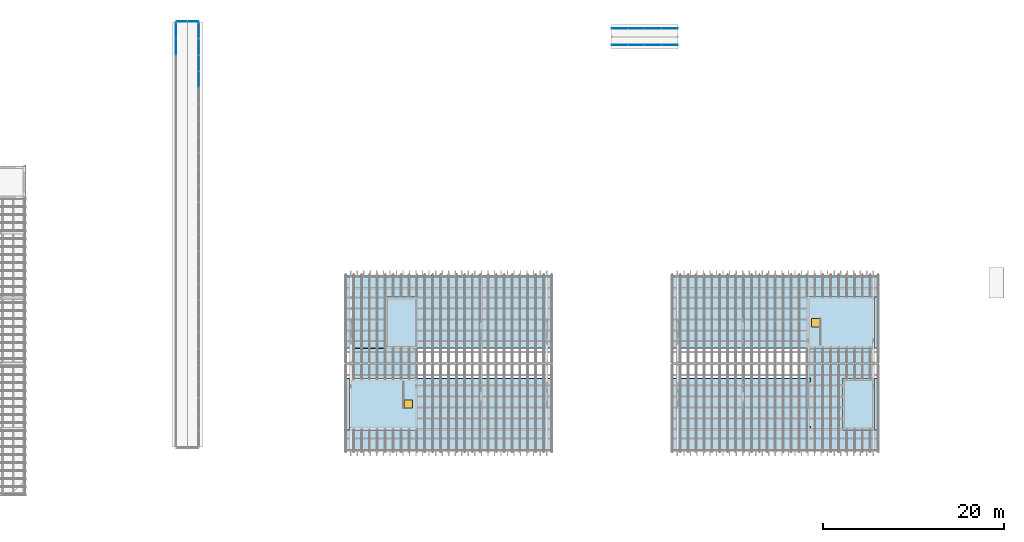
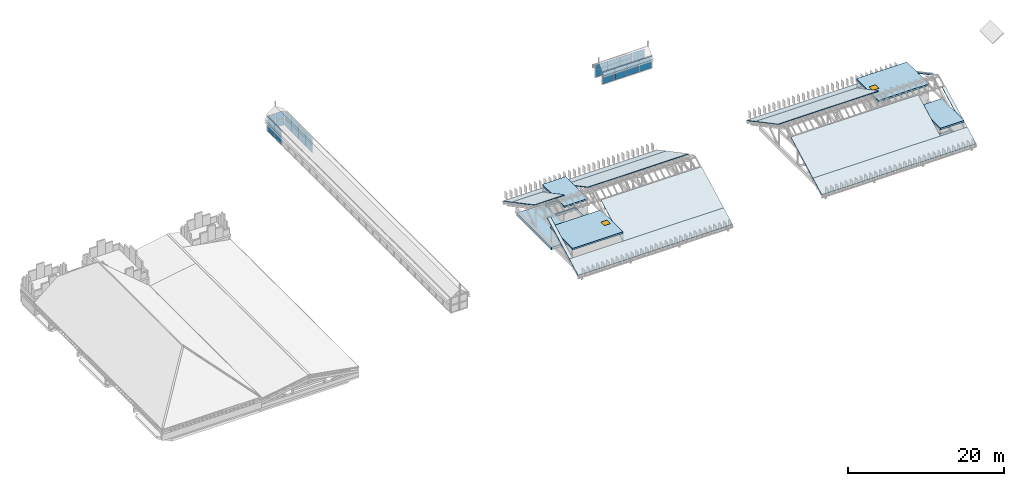
# One storey, part 15 of 28: 32 plates, 18 slabs, 2 doors, 2 openings, 5 elements without a shape of their own.
"""IFC4 building model written with IfcOpenShell, lengths in metres."""

from ifc_helpers import new_model, si_unit, direction, frame, origin, origin_2d, place, context, subcontext, project, spatial, polyline, rectangle, outline, extrude, material, layer, layer_set, type_object, element, fill, aggregate, save


model = new_model("IFC4")

# Units and contexts
model_context = context("Model", 3, precision=1e-05, world=origin(), true_north=direction((0.0, 1.0)))
body_context = subcontext(model_context, "Body", "Model", "MODEL_VIEW")
ifc_project = project(units=[si_unit("LENGTHUNIT", "METRE"), si_unit("AREAUNIT", "SQUARE_METRE"), si_unit("VOLUMEUNIT", "CUBIC_METRE"), si_unit("PLANEANGLEUNIT", "RADIAN"), si_unit("MASSUNIT", "GRAM", prefix="KILO")], contexts=[model_context])

# Site, building, storey
site_placement = place(None, origin())
site = spatial("IfcSite", under=ifc_project, at=site_placement, CompositionType="ELEMENT")
building_placement = place(site_placement, origin())
building = spatial("IfcBuilding", under=site, at=building_placement, Name="Mazhai Court Health Centre", CompositionType="ELEMENT")
storey_placement = place(building_placement, frame((0.0, 0.0, 18.0)))
storey = spatial("IfcBuildingStorey", under=building, at=storey_placement, Name="RF", CompositionType="ELEMENT", Elevation=18.0)

# Slabs
ifc_material_1 = material(Name="CLT C24 3-ply", Category="wood")
ifc_layer_1 = layer(ifc_material_1, 0.10009765625)
ifc_layer_set_1 = layer_set([ifc_layer_1], Name="CLT C24 3-ply roof panel 100")
slab_type_1 = type_object("IfcSlabType", Name="CLT C24 3-ply roof panel 100", PredefinedType="ROOF", material=ifc_layer_set_1)
slab_1_placement = place(storey_placement, frame((93.199951171875, 11.0, 0.32177734375), z_axis=(0.0, -0.469510825727, 0.882926715263), x_axis=(-1.0, 0.0, 0.0)))
element("IfcSlab", 1, at=slab_1_placement, inside=storey, type_object=slab_type_1, Name="Roof slab RV4W-RS1", PredefinedType="ROOF", context=body_context, shape_type="SweptSolid", body=[
    extrude(outline(polyline([(0.0, 0.0), (22.800048828125, 0.0), (22.800048828125, -2.576547186107941), (0.0, -2.576547186107941), (0.0, 0.0)])), origin(), (0.0, 0.0, -1.0), 0.10009765625),
])
slab_2_placement = place(storey_placement, frame((70.39990234375, 18.925048828125, 4.535400390625), z_axis=(0.0, -0.469431367289, 0.88296896401), x_axis=(1.0, 0.0, 0.0)))
element("IfcSlab", 2, at=slab_2_placement, inside=storey, type_object=slab_type_1, Name="Roof slab RV4W-RS1", PredefinedType="ROOF", context=body_context, shape_type="SweptSolid", body=[
    extrude(outline(polyline([(0.0, 0.0), (0.47509765625, 0.0), (0.47509765625, -6.399031805959729), (0.0, -6.399031805959729), (0.0, 0.0)])), origin(), (0.0, 0.0, -1.0), 0.10009765625),
])
slab_3_placement = place(storey_placement, frame((93.199951171875, 13.27490234375, 1.531494140625), z_axis=(0.0, -0.469431367289, 0.88296896401), x_axis=(-1.0, 0.0, 0.0)))
element("IfcSlab", 3, at=slab_3_placement, inside=storey, type_object=slab_type_1, Name="Roof slab RV4W-RS1", PredefinedType="ROOF", context=body_context, shape_type="SweptSolid", body=[
    extrude(outline(polyline([(0.0, 0.0), (14.875, 0.0), (14.875, -6.39903180595973), (0.0, -6.39903180595973), (0.0, 0.0)])), origin(), (0.0, 0.0, -1.0), 0.10009765625),
])
slab_4_placement = place(storey_placement, frame((70.39990234375, 30.199951171875, 0.32177734375), z_axis=(0.0, 0.469510825727, 0.882926715263), x_axis=(1.0, 0.0, 0.0)))
element("IfcSlab", 4, at=slab_4_placement, inside=storey, type_object=slab_type_1, Name="Roof slab RV4W-RS2", PredefinedType="ROOF", context=body_context, shape_type="SweptSolid", body=[
    extrude(outline(polyline([(0.0, 0.0), (22.800048828125, 0.0), (22.800048828125, -2.576547186107941), (0.0, -2.576547186107941), (0.0, 0.0)])), origin(), (0.0, 0.0, -1.0), 0.10009765625),
])
slab_5_placement = place(storey_placement, frame((70.39990234375, 27.925048828125, 1.531494140625), z_axis=(0.0, 0.469431367289, 0.88296896401), x_axis=(1.0, 0.0, 0.0)))
element("IfcSlab", 5, at=slab_5_placement, inside=storey, type_object=slab_type_1, Name="Roof slab RV4W-RS2", PredefinedType="ROOF", context=body_context, shape_type="SweptSolid", body=[
    extrude(outline(polyline([(0.0, 0.0), (4.4501953125, 0.0), (4.4501953125, -6.399031805959729), (0.0, -6.399031805959729), (0.0, 0.0)])), origin(), (0.0, 0.0, -1.0), 0.10009765625),
])
slab_6_placement = place(storey_placement, frame((93.199951171875, 22.27490234375, 4.535400390625), z_axis=(0.0, 0.469431367289, 0.88296896401), x_axis=(-1.0, 0.0, 0.0)))
element("IfcSlab", 6, at=slab_6_placement, inside=storey, type_object=slab_type_1, Name="Roof slab RV4W-RS2", PredefinedType="ROOF", context=body_context, shape_type="SweptSolid", body=[
    extrude(outline(polyline([(0.0, 0.0), (14.875, 0.0), (14.875, -6.39903180595973), (0.0, -6.39903180595973), (0.0, 0.0)])), origin(), (0.0, 0.0, -1.0), 0.10009765625),
])
slab_7_placement = place(storey_placement, frame((106.39990234375, 30.199951171875, 0.32177734375), z_axis=(0.0, 0.469510825727, 0.882926715263), x_axis=(1.0, 0.0, 0.0)))
element("IfcSlab", 7, at=slab_7_placement, inside=storey, type_object=slab_type_1, Name="Roof slab RV4E-RS2", PredefinedType="ROOF", context=body_context, shape_type="SweptSolid", body=[
    extrude(outline(polyline([(0.0, 0.0), (22.800048828125, 0.0), (22.800048828125, -2.576547186107941), (0.0, -2.576547186107941), (0.0, 0.0)])), origin(), (0.0, 0.0, -1.0), 0.10009765625),
])
slab_8_placement = place(storey_placement, frame((106.39990234375, 27.925048828125, 1.531494140625), z_axis=(0.0, 0.469431367289, 0.88296896401), x_axis=(1.0, 0.0, 0.0)))
element("IfcSlab", 8, at=slab_8_placement, inside=storey, type_object=slab_type_1, Name="Roof slab RV4E-RS2", PredefinedType="ROOF", context=body_context, shape_type="SweptSolid", body=[
    extrude(outline(polyline([(0.0, 0.0), (14.875, 0.0), (14.875, -6.39903180595973), (0.0, -6.39903180595973), (0.0, 0.0)])), origin(), (0.0, 0.0, -1.0), 0.10009765625),
])
slab_9_placement = place(storey_placement, frame((129.199951171875, 22.27490234375, 4.535400390625), z_axis=(0.0, 0.469431367289, 0.88296896401), x_axis=(-1.0, 0.0, 0.0)))
element("IfcSlab", 9, at=slab_9_placement, inside=storey, type_object=slab_type_1, Name="Roof slab RV4E-RS2", PredefinedType="ROOF", context=body_context, shape_type="SweptSolid", body=[
    extrude(outline(polyline([(0.0, 0.0), (0.474853515625, 0.0), (0.474853515625, -6.399031805959729), (0.0, -6.399031805959729), (0.0, 0.0)])), origin(), (0.0, 0.0, -1.0), 0.10009765625),
])
slab_10_placement = place(storey_placement, frame((129.199951171875, 11.0, 0.32177734375), z_axis=(0.0, -0.469510825727, 0.882926715263), x_axis=(-1.0, 0.0, 0.0)))
element("IfcSlab", 10, at=slab_10_placement, inside=storey, type_object=slab_type_1, Name="Roof slab RV4E-RS1", PredefinedType="ROOF", context=body_context, shape_type="SweptSolid", body=[
    extrude(outline(polyline([(0.0, 0.0), (22.800048828125, 0.0), (22.800048828125, -2.576547186107941), (0.0, -2.576547186107941), (0.0, 0.0)])), origin(), (0.0, 0.0, -1.0), 0.10009765625),
])
slab_11_placement = place(storey_placement, frame((106.39990234375, 18.925048828125, 4.535400390625), z_axis=(0.0, -0.469431367289, 0.88296896401), x_axis=(1.0, 0.0, 0.0)))
element("IfcSlab", 11, at=slab_11_placement, inside=storey, type_object=slab_type_1, Name="Roof slab RV4E-RS1", PredefinedType="ROOF", context=body_context, shape_type="SweptSolid", body=[
    extrude(outline(polyline([(0.0, 0.0), (18.81005859375, 0.0), (18.81005859375, -6.399031805959729), (0.0, -6.399031805959729), (0.0, 0.0)])), origin(), (0.0, 0.0, -1.0), 0.10009765625),
])
slab_12_placement = place(storey_placement, frame((129.199951171875, 13.27490234375, 1.531494140625), z_axis=(0.0, -0.469431367289, 0.88296896401), x_axis=(-1.0, 0.0, 0.0)))
element("IfcSlab", 12, at=slab_12_placement, inside=storey, type_object=slab_type_1, Name="Roof slab RV4E-RS1", PredefinedType="ROOF", context=body_context, shape_type="SweptSolid", body=[
    extrude(outline(polyline([(0.0, 0.0), (0.474853515625, 0.0), (0.474853515625, -6.399031805959729), (0.0, -6.399031805959729), (0.0, 0.0)])), origin(), (0.0, 0.0, -1.0), 0.10009765625),
])

# Curtain wall, plates
ifc_material_2 = material(Name="Teak timber frame, glazed", Category="wood")
ifc_layer_2 = layer(ifc_material_2, 0.10009765625)
ifc_layer_set_2 = layer_set([ifc_layer_2], Name="CURTAIN WALL TIMBER 1800")
curtain_wall_type_1 = type_object("IfcCurtainWallType", Name="CURTAIN WALL TIMBER 1800", PredefinedType="NOTDEFINED", material=ifc_layer_set_2)
curtain_wall_1_placement = place(storey_placement, origin())
curtain_wall_1 = element("IfcCurtainWall", 13, at=curtain_wall_1_placement, inside=storey, type_object=curtain_wall_type_1, Name="CW-V1-LSW", PredefinedType="NOTDEFINED")
ifc_material_3 = material(Name="Glass IGU 28 mm", Category="glass")
ifc_layer_3 = layer(ifc_material_3, 0.028076171875)
ifc_layer_set_3 = layer_set([ifc_layer_3], Name="CW PANEL IGU 28")
plate_type = type_object("IfcPlateType", Name="CW PANEL IGU 28", PredefinedType="CURTAIN_PANEL", material=ifc_layer_set_3)
plate_1_placement = place(storey_placement, frame((51.75, 55.5, 0.84375), z_axis=(0.0, 0.0, 1.0), x_axis=(0.0, 1.0, 0.0)))
plate_1 = element("IfcPlate", 14, at=plate_1_placement, type_object=plate_type, Name="CW panel 25.1", PredefinedType="CURTAIN_PANEL", context=body_context, shape_type="SweptSolid", body=[
    extrude(rectangle(XDim=1.739990234375, YDim=0.028076171875, at=origin_2d()), origin(), (0.0, 0.0, 1.0), 1.110107421875),
])
plate_2_placement = place(storey_placement, frame((51.75, 55.5, 2.013916015625), z_axis=(0.0, 0.0, 1.0), x_axis=(0.0, 1.0, 0.0)))
plate_2 = element("IfcPlate", 15, at=plate_2_placement, type_object=plate_type, Name="CW panel 25.2", PredefinedType="CURTAIN_PANEL", context=body_context, shape_type="SweptSolid", body=[
    extrude(rectangle(XDim=1.739990234375, YDim=0.028076171875, at=origin_2d()), origin(), (0.0, 0.0, 1.0), 1.10498046875),
])
plate_3_placement = place(storey_placement, frame((51.75, 57.284912109375, 0.84375), z_axis=(0.0, 0.0, 1.0), x_axis=(0.0, 1.0, 0.0)))
plate_3 = element("IfcPlate", 16, at=plate_3_placement, type_object=plate_type, Name="CW panel 26.1", PredefinedType="CURTAIN_PANEL", context=body_context, shape_type="SweptSolid", body=[
    extrude(rectangle(XDim=1.7099609375, YDim=0.028076171875, at=origin_2d()), origin(), (0.0, 0.0, 1.0), 1.110107421875),
])
plate_4_placement = place(storey_placement, frame((51.75, 57.284912109375, 2.013916015625), z_axis=(0.0, 0.0, 1.0), x_axis=(0.0, 1.0, 0.0)))
plate_4 = element("IfcPlate", 17, at=plate_4_placement, type_object=plate_type, Name="CW panel 26.2", PredefinedType="CURTAIN_PANEL", context=body_context, shape_type="SweptSolid", body=[
    extrude(rectangle(XDim=1.7099609375, YDim=0.028076171875, at=origin_2d()), origin(), (0.0, 0.0, 1.0), 1.10498046875),
])
aggregate(curtain_wall_1, [plate_1, plate_2, plate_3, plate_4])

curtain_wall_2_placement = place(storey_placement, origin())
curtain_wall_2 = element("IfcCurtainWall", 18, at=curtain_wall_2_placement, inside=storey, type_object=curtain_wall_type_1, Name="CW-V1-LSE", PredefinedType="NOTDEFINED")
plate_5_placement = place(storey_placement, frame((54.25, 57.284912109375, 0.84375), z_axis=(0.0, 0.0, 1.0), x_axis=(0.0, -1.0, 0.0)))
plate_5 = element("IfcPlate", 19, at=plate_5_placement, type_object=plate_type, Name="CW panel 1.1", PredefinedType="CURTAIN_PANEL", context=body_context, shape_type="SweptSolid", body=[
    extrude(rectangle(XDim=1.7099609375, YDim=0.028076171875, at=origin_2d()), origin(), (0.0, 0.0, 1.0), 1.110107421875),
])
plate_6_placement = place(storey_placement, frame((54.25, 57.284912109375, 2.013916015625), z_axis=(0.0, 0.0, 1.0), x_axis=(0.0, -1.0, 0.0)))
plate_6 = element("IfcPlate", 20, at=plate_6_placement, type_object=plate_type, Name="CW panel 1.2", PredefinedType="CURTAIN_PANEL", context=body_context, shape_type="SweptSolid", body=[
    extrude(rectangle(XDim=1.7099609375, YDim=0.028076171875, at=origin_2d()), origin(), (0.0, 0.0, 1.0), 1.10498046875),
])
plate_7_placement = place(storey_placement, frame((54.25, 55.5, 0.84375), z_axis=(0.0, 0.0, 1.0), x_axis=(0.0, -1.0, 0.0)))
plate_7 = element("IfcPlate", 21, at=plate_7_placement, type_object=plate_type, Name="CW panel 2.1", PredefinedType="CURTAIN_PANEL", context=body_context, shape_type="SweptSolid", body=[
    extrude(rectangle(XDim=1.739990234375, YDim=0.028076171875, at=origin_2d()), origin(), (0.0, 0.0, 1.0), 1.110107421875),
])
plate_8_placement = place(storey_placement, frame((54.25, 55.5, 2.013916015625), z_axis=(0.0, 0.0, 1.0), x_axis=(0.0, -1.0, 0.0)))
plate_8 = element("IfcPlate", 22, at=plate_8_placement, type_object=plate_type, Name="CW panel 2.2", PredefinedType="CURTAIN_PANEL", context=body_context, shape_type="SweptSolid", body=[
    extrude(rectangle(XDim=1.739990234375, YDim=0.028076171875, at=origin_2d()), origin(), (0.0, 0.0, 1.0), 1.10498046875),
])
plate_9_placement = place(storey_placement, frame((54.25, 53.699951171875, 0.84375), z_axis=(0.0, 0.0, 1.0), x_axis=(0.0, -1.0, 0.0)))
plate_9 = element("IfcPlate", 23, at=plate_9_placement, type_object=plate_type, Name="CW panel 3.1", PredefinedType="CURTAIN_PANEL", context=body_context, shape_type="SweptSolid", body=[
    extrude(rectangle(XDim=1.739990234375, YDim=0.028076171875, at=origin_2d()), origin(), (0.0, 0.0, 1.0), 1.110107421875),
])
plate_10_placement = place(storey_placement, frame((54.25, 53.699951171875, 2.013916015625), z_axis=(0.0, 0.0, 1.0), x_axis=(0.0, -1.0, 0.0)))
plate_10 = element("IfcPlate", 24, at=plate_10_placement, type_object=plate_type, Name="CW panel 3.2", PredefinedType="CURTAIN_PANEL", context=body_context, shape_type="SweptSolid", body=[
    extrude(rectangle(XDim=1.739990234375, YDim=0.028076171875, at=origin_2d()), origin(), (0.0, 0.0, 1.0), 1.10498046875),
])
plate_11_placement = place(storey_placement, frame((54.25, 51.89990234375, 0.84375), z_axis=(0.0, 0.0, 1.0), x_axis=(0.0, -1.0, 0.0)))
plate_11 = element("IfcPlate", 25, at=plate_11_placement, type_object=plate_type, Name="CW panel 4.1", PredefinedType="CURTAIN_PANEL", context=body_context, shape_type="SweptSolid", body=[
    extrude(rectangle(XDim=1.739990234375, YDim=0.028076171875, at=origin_2d()), origin(), (0.0, 0.0, 1.0), 1.110107421875),
])
plate_12_placement = place(storey_placement, frame((54.25, 51.89990234375, 2.013916015625), z_axis=(0.0, 0.0, 1.0), x_axis=(0.0, -1.0, 0.0)))
plate_12 = element("IfcPlate", 26, at=plate_12_placement, type_object=plate_type, Name="CW panel 4.2", PredefinedType="CURTAIN_PANEL", context=body_context, shape_type="SweptSolid", body=[
    extrude(rectangle(XDim=1.739990234375, YDim=0.028076171875, at=origin_2d()), origin(), (0.0, 0.0, 1.0), 1.10498046875),
])
aggregate(curtain_wall_2, [plate_5, plate_6, plate_7, plate_8, plate_9, plate_10, plate_11, plate_12])

ifc_material_4 = material(Name="Teak timber frame, glazed", Category="wood")
ifc_layer_4 = layer(ifc_material_4, 0.10009765625)
ifc_layer_set_4 = layer_set([ifc_layer_4], Name="CURTAIN WALL TIMBER 1200")
curtain_wall_type_2 = type_object("IfcCurtainWallType", Name="CURTAIN WALL TIMBER 1200", PredefinedType="NOTDEFINED", material=ifc_layer_set_4)
curtain_wall_3_placement = place(storey_placement, origin())
curtain_wall_3 = element("IfcCurtainWall", 27, at=curtain_wall_3_placement, inside=storey, type_object=curtain_wall_type_2, Name="CW-V1-LCN", PredefinedType="NOTDEFINED")
plate_13_placement = place(storey_placement, frame((52.389892578125, 58.27490234375, 0.84375), z_axis=(0.0, 0.0, 1.0), x_axis=(1.0, 0.0, 0.0)))
plate_13 = element("IfcPlate", 28, at=plate_13_placement, type_object=plate_type, Name="CW panel 1.1", PredefinedType="CURTAIN_PANEL", context=body_context, shape_type="SweptSolid", body=[
    extrude(rectangle(XDim=1.159912109375, YDim=0.028076171875, at=origin_2d()), origin(), (0.0, 0.0, 1.0), 1.110107421875),
])
plate_14_placement = place(storey_placement, frame((52.389892578125, 58.27490234375, 2.013916015625), z_axis=(0.0, 0.0, 1.0), x_axis=(1.0, 0.0, 0.0)))
plate_14 = element("IfcPlate", 29, at=plate_14_placement, type_object=plate_type, Name="CW panel 1.2", PredefinedType="CURTAIN_PANEL", context=body_context, shape_type="SweptSolid", body=[
    extrude(rectangle(XDim=1.159912109375, YDim=0.028076171875, at=origin_2d()), origin(), (0.0, 0.0, 1.0), 1.10498046875),
])
plate_15_placement = place(storey_placement, frame((53.610107421875, 58.27490234375, 0.84375), z_axis=(0.0, 0.0, 1.0), x_axis=(1.0, 0.0, 0.0)))
plate_15 = element("IfcPlate", 30, at=plate_15_placement, type_object=plate_type, Name="CW panel 2.1", PredefinedType="CURTAIN_PANEL", context=body_context, shape_type="SweptSolid", body=[
    extrude(rectangle(XDim=1.159912109375, YDim=0.028076171875, at=origin_2d()), origin(), (0.0, 0.0, 1.0), 1.110107421875),
])
plate_16_placement = place(storey_placement, frame((53.610107421875, 58.27490234375, 2.013916015625), z_axis=(0.0, 0.0, 1.0), x_axis=(1.0, 0.0, 0.0)))
plate_16 = element("IfcPlate", 31, at=plate_16_placement, type_object=plate_type, Name="CW panel 2.2", PredefinedType="CURTAIN_PANEL", context=body_context, shape_type="SweptSolid", body=[
    extrude(rectangle(XDim=1.159912109375, YDim=0.028076171875, at=origin_2d()), origin(), (0.0, 0.0, 1.0), 1.10498046875),
])
aggregate(curtain_wall_3, [plate_13, plate_14, plate_15, plate_16])

curtain_wall_4_placement = place(storey_placement, origin())
curtain_wall_4 = element("IfcCurtainWall", 32, at=curtain_wall_4_placement, inside=storey, type_object=curtain_wall_type_1, Name="CW-V3-LSS", PredefinedType="NOTDEFINED")
plate_17_placement = place(storey_placement, frame((106.14208984375, 55.699951171875, -7.173828125), z_axis=(0.0, 0.0, 1.0), x_axis=(-1.0, 0.0, 0.0)))
plate_17 = element("IfcPlate", 33, at=plate_17_placement, type_object=plate_type, Name="CW panel 1.1", PredefinedType="CURTAIN_PANEL", context=body_context, shape_type="SweptSolid", body=[
    extrude(rectangle(XDim=1.748046875, YDim=0.028076171875, at=origin_2d()), origin(), (0.0, 0.0, 1.0), 1.110107421875),
])
plate_18_placement = place(storey_placement, frame((106.14208984375, 55.699951171875, -6.00390625), z_axis=(0.0, 0.0, 1.0), x_axis=(-1.0, 0.0, 0.0)))
plate_18 = element("IfcPlate", 34, at=plate_18_placement, type_object=plate_type, Name="CW panel 1.2", PredefinedType="CURTAIN_PANEL", context=body_context, shape_type="SweptSolid", body=[
    extrude(rectangle(XDim=1.748046875, YDim=0.028076171875, at=origin_2d()), origin(), (0.0, 0.0, 1.0), 0.697998046875),
])
plate_19_placement = place(storey_placement, frame((104.319091796875, 55.699951171875, -7.173828125), z_axis=(0.0, 0.0, 1.0), x_axis=(-1.0, 0.0, 0.0)))
plate_19 = element("IfcPlate", 35, at=plate_19_placement, type_object=plate_type, Name="CW panel 2.1", PredefinedType="CURTAIN_PANEL", context=body_context, shape_type="SweptSolid", body=[
    extrude(rectangle(XDim=1.778076171875, YDim=0.028076171875, at=origin_2d()), origin(), (0.0, 0.0, 1.0), 1.110107421875),
])
plate_20_placement = place(storey_placement, frame((104.319091796875, 55.699951171875, -6.00390625), z_axis=(0.0, 0.0, 1.0), x_axis=(-1.0, 0.0, 0.0)))
plate_20 = element("IfcPlate", 36, at=plate_20_placement, type_object=plate_type, Name="CW panel 2.2", PredefinedType="CURTAIN_PANEL", context=body_context, shape_type="SweptSolid", body=[
    extrude(rectangle(XDim=1.778076171875, YDim=0.028076171875, at=origin_2d()), origin(), (0.0, 0.0, 1.0), 0.697998046875),
])
plate_21_placement = place(storey_placement, frame((102.48095703125, 55.699951171875, -7.173828125), z_axis=(0.0, 0.0, 1.0), x_axis=(-1.0, 0.0, 0.0)))
plate_21 = element("IfcPlate", 37, at=plate_21_placement, type_object=plate_type, Name="CW panel 3.1", PredefinedType="CURTAIN_PANEL", context=body_context, shape_type="SweptSolid", body=[
    extrude(rectangle(XDim=1.778076171875, YDim=0.028076171875, at=origin_2d()), origin(), (0.0, 0.0, 1.0), 1.110107421875),
])
plate_22_placement = place(storey_placement, frame((102.48095703125, 55.699951171875, -6.00390625), z_axis=(0.0, 0.0, 1.0), x_axis=(-1.0, 0.0, 0.0)))
plate_22 = element("IfcPlate", 38, at=plate_22_placement, type_object=plate_type, Name="CW panel 3.2", PredefinedType="CURTAIN_PANEL", context=body_context, shape_type="SweptSolid", body=[
    extrude(rectangle(XDim=1.778076171875, YDim=0.028076171875, at=origin_2d()), origin(), (0.0, 0.0, 1.0), 0.697998046875),
])
plate_23_placement = place(storey_placement, frame((100.657958984375, 55.699951171875, -7.173828125), z_axis=(0.0, 0.0, 1.0), x_axis=(-1.0, 0.0, 0.0)))
plate_23 = element("IfcPlate", 39, at=plate_23_placement, type_object=plate_type, Name="CW panel 4.1", PredefinedType="CURTAIN_PANEL", context=body_context, shape_type="SweptSolid", body=[
    extrude(rectangle(XDim=1.748046875, YDim=0.028076171875, at=origin_2d()), origin(), (0.0, 0.0, 1.0), 1.110107421875),
])
plate_24_placement = place(storey_placement, frame((100.657958984375, 55.699951171875, -6.00390625), z_axis=(0.0, 0.0, 1.0), x_axis=(-1.0, 0.0, 0.0)))
plate_24 = element("IfcPlate", 40, at=plate_24_placement, type_object=plate_type, Name="CW panel 4.2", PredefinedType="CURTAIN_PANEL", context=body_context, shape_type="SweptSolid", body=[
    extrude(rectangle(XDim=1.748046875, YDim=0.028076171875, at=origin_2d()), origin(), (0.0, 0.0, 1.0), 0.697998046875),
])
aggregate(curtain_wall_4, [plate_17, plate_18, plate_19, plate_20, plate_21, plate_22, plate_23, plate_24])

curtain_wall_5_placement = place(storey_placement, origin())
curtain_wall_5 = element("IfcCurtainWall", 41, at=curtain_wall_5_placement, inside=storey, type_object=curtain_wall_type_1, Name="CW-V3-LSN", PredefinedType="NOTDEFINED")
plate_25_placement = place(storey_placement, frame((100.657958984375, 57.5, -7.173828125), z_axis=(0.0, 0.0, 1.0), x_axis=(1.0, 0.0, 0.0)))
plate_25 = element("IfcPlate", 42, at=plate_25_placement, type_object=plate_type, Name="CW panel 1.1", PredefinedType="CURTAIN_PANEL", context=body_context, shape_type="SweptSolid", body=[
    extrude(rectangle(XDim=1.748046875, YDim=0.028076171875, at=origin_2d()), origin(), (0.0, 0.0, 1.0), 1.110107421875),
])
plate_26_placement = place(storey_placement, frame((100.657958984375, 57.5, -6.00390625), z_axis=(0.0, 0.0, 1.0), x_axis=(1.0, 0.0, 0.0)))
plate_26 = element("IfcPlate", 43, at=plate_26_placement, type_object=plate_type, Name="CW panel 1.2", PredefinedType="CURTAIN_PANEL", context=body_context, shape_type="SweptSolid", body=[
    extrude(rectangle(XDim=1.748046875, YDim=0.028076171875, at=origin_2d()), origin(), (0.0, 0.0, 1.0), 0.697998046875),
])
plate_27_placement = place(storey_placement, frame((102.48095703125, 57.5, -7.173828125), z_axis=(0.0, 0.0, 1.0), x_axis=(1.0, 0.0, 0.0)))
plate_27 = element("IfcPlate", 44, at=plate_27_placement, type_object=plate_type, Name="CW panel 2.1", PredefinedType="CURTAIN_PANEL", context=body_context, shape_type="SweptSolid", body=[
    extrude(rectangle(XDim=1.778076171875, YDim=0.028076171875, at=origin_2d()), origin(), (0.0, 0.0, 1.0), 1.110107421875),
])
plate_28_placement = place(storey_placement, frame((102.48095703125, 57.5, -6.00390625), z_axis=(0.0, 0.0, 1.0), x_axis=(1.0, 0.0, 0.0)))
plate_28 = element("IfcPlate", 45, at=plate_28_placement, type_object=plate_type, Name="CW panel 2.2", PredefinedType="CURTAIN_PANEL", context=body_context, shape_type="SweptSolid", body=[
    extrude(rectangle(XDim=1.778076171875, YDim=0.028076171875, at=origin_2d()), origin(), (0.0, 0.0, 1.0), 0.697998046875),
])
plate_29_placement = place(storey_placement, frame((104.319091796875, 57.5, -7.173828125), z_axis=(0.0, 0.0, 1.0), x_axis=(1.0, 0.0, 0.0)))
plate_29 = element("IfcPlate", 46, at=plate_29_placement, type_object=plate_type, Name="CW panel 3.1", PredefinedType="CURTAIN_PANEL", context=body_context, shape_type="SweptSolid", body=[
    extrude(rectangle(XDim=1.778076171875, YDim=0.028076171875, at=origin_2d()), origin(), (0.0, 0.0, 1.0), 1.110107421875),
])
plate_30_placement = place(storey_placement, frame((104.319091796875, 57.5, -6.00390625), z_axis=(0.0, 0.0, 1.0), x_axis=(1.0, 0.0, 0.0)))
plate_30 = element("IfcPlate", 47, at=plate_30_placement, type_object=plate_type, Name="CW panel 3.2", PredefinedType="CURTAIN_PANEL", context=body_context, shape_type="SweptSolid", body=[
    extrude(rectangle(XDim=1.778076171875, YDim=0.028076171875, at=origin_2d()), origin(), (0.0, 0.0, 1.0), 0.697998046875),
])
plate_31_placement = place(storey_placement, frame((106.14208984375, 57.5, -7.173828125), z_axis=(0.0, 0.0, 1.0), x_axis=(1.0, 0.0, 0.0)))
plate_31 = element("IfcPlate", 48, at=plate_31_placement, type_object=plate_type, Name="CW panel 4.1", PredefinedType="CURTAIN_PANEL", context=body_context, shape_type="SweptSolid", body=[
    extrude(rectangle(XDim=1.748046875, YDim=0.028076171875, at=origin_2d()), origin(), (0.0, 0.0, 1.0), 1.110107421875),
])
plate_32_placement = place(storey_placement, frame((106.14208984375, 57.5, -6.00390625), z_axis=(0.0, 0.0, 1.0), x_axis=(1.0, 0.0, 0.0)))
plate_32 = element("IfcPlate", 49, at=plate_32_placement, type_object=plate_type, Name="CW panel 4.2", PredefinedType="CURTAIN_PANEL", context=body_context, shape_type="SweptSolid", body=[
    extrude(rectangle(XDim=1.748046875, YDim=0.028076171875, at=origin_2d()), origin(), (0.0, 0.0, 1.0), 0.697998046875),
])
aggregate(curtain_wall_5, [plate_25, plate_26, plate_27, plate_28, plate_29, plate_30, plate_31, plate_32])

# Slab, opening, door
ifc_material_5 = material(Name="Concrete M40", Category="concrete")
ifc_layer_5 = layer(ifc_material_5, 0.25)
ifc_layer_set_5 = layer_set([ifc_layer_5], Name="RC CORE ROOF 250 M40")
slab_type_2 = type_object("IfcSlabType", Name="RC CORE ROOF 250 M40", PredefinedType="ROOF", material=ifc_layer_set_5)
slab_13_placement = place(storey_placement, frame((0.0, 0.0, 2.75)))
slab_13 = element("IfcSlab", 50, at=slab_13_placement, inside=storey, type_object=slab_type_2, Name="core-C6-head-house-slab", PredefinedType="ROOF", context=body_context, shape_type="SweptSolid", body=[
    extrude(outline(polyline([(70.875, 13.27490234375), (78.324951171875, 13.27490234375), (78.324951171875, 18.925048828125), (70.875, 18.925048828125), (70.875, 13.27490234375)])), origin(), (0.0, 0.0, 1.0), 0.25),
])
opening_1_placement = place(slab_13_placement, frame((77.375, 16.1201171875, 0.0)))
opening_1 = element("IfcOpeningElement", 51, at=opening_1_placement, cuts=slab_13, Name="Opening D-RF-002", PredefinedType="OPENING", context=body_context, shape_type="SweptSolid", body=[
    extrude(rectangle(XDim=0.89990234375, YDim=0.89990234375, at=origin_2d()), origin(), (0.0, 0.0, 1.0), 0.25),
])
ifc_material_6 = material(Name="Galvanised steel hatch", Category="steel")
door_type = type_object("IfcDoorType", Name="ROOF HATCH 900x900", OperationType="SINGLE_SWING_LEFT", PredefinedType="TRAPDOOR", material=ifc_material_6)
door_1_placement = place(opening_1_placement, frame((0.0, 0.0, 0.199951171875)))
door_1 = element("IfcDoor", 52, at=door_1_placement, inside=storey, type_object=door_type, Name="Roof hatch C6", OperationType="SINGLE_SWING_LEFT", OverallHeight=0.89990234375, OverallWidth=0.89990234375, PredefinedType="TRAPDOOR", context=body_context, shape_type="SweptSolid", body=[
    extrude(rectangle(XDim=0.89990234375, YDim=0.89990234375, at=origin_2d()), origin(), (0.0, 0.0, 1.0), 0.050048828125),
])
fill(opening_1, door_1)

# Slab
slab_14_placement = place(storey_placement, frame((0.0, 0.0, 2.4990234375)))
element("IfcSlab", 53, at=slab_14_placement, inside=storey, type_object=slab_type_2, Name="core-C6-overrun-slab", PredefinedType="ROOF", context=body_context, shape_type="SweptSolid", body=[
    extrude(outline(polyline([(74.85009765625, 22.27490234375), (78.324951171875, 22.27490234375), (78.324951171875, 27.925048828125), (74.85009765625, 27.925048828125), (74.85009765625, 22.27490234375)])), origin(), (0.0, 0.0, 1.0), 0.25),
])

# Slab, opening, door
slab_15_placement = place(storey_placement, frame((0.0, 0.0, 2.75)))
slab_15 = element("IfcSlab", 54, at=slab_15_placement, inside=storey, type_object=slab_type_2, Name="core-C7-head-house-slab", PredefinedType="ROOF", context=body_context, shape_type="SweptSolid", body=[
    extrude(outline(polyline([(121.27490234375, 22.27490234375), (128.72509765625, 22.27490234375), (128.72509765625, 27.925048828125), (121.27490234375, 27.925048828125), (121.27490234375, 22.27490234375)])), origin(), (0.0, 0.0, 1.0), 0.25),
])
opening_2_placement = place(slab_15_placement, frame((122.22509765625, 25.080078125, 0.0)))
opening_2 = element("IfcOpeningElement", 55, at=opening_2_placement, cuts=slab_15, Name="Opening D-RF-003", PredefinedType="OPENING", context=body_context, shape_type="SweptSolid", body=[
    extrude(rectangle(XDim=0.89990234375, YDim=0.89990234375, at=origin_2d()), origin(), (0.0, 0.0, 1.0), 0.25),
])
door_2_placement = place(opening_2_placement, frame((0.0, 0.0, 0.199951171875)))
door_2 = element("IfcDoor", 56, at=door_2_placement, inside=storey, type_object=door_type, Name="Roof hatch C7", OperationType="SINGLE_SWING_LEFT", OverallHeight=0.89990234375, OverallWidth=0.89990234375, PredefinedType="TRAPDOOR", context=body_context, shape_type="SweptSolid", body=[
    extrude(rectangle(XDim=0.89990234375, YDim=0.89990234375, at=origin_2d()), origin(), (0.0, 0.0, 1.0), 0.050048828125),
])
fill(opening_2, door_2)

# Slabs
slab_16_placement = place(storey_placement, frame((0.0, 0.0, 2.4990234375)))
element("IfcSlab", 57, at=slab_16_placement, inside=storey, type_object=slab_type_2, Name="core-C7-overrun-slab", PredefinedType="ROOF", context=body_context, shape_type="SweptSolid", body=[
    extrude(outline(polyline([(125.2099609375, 13.27490234375), (128.72509765625, 13.27490234375), (128.72509765625, 18.925048828125), (125.2099609375, 18.925048828125), (125.2099609375, 13.27490234375)])), origin(), (0.0, 0.0, 1.0), 0.25),
])
ifc_material_7 = material(Name="Concrete M40", Category="concrete")
ifc_layer_6 = layer(ifc_material_7, 0.39990234375)
ifc_layer_set_6 = layer_set([ifc_layer_6], Name="RC CORE ROOF 400 M40")
slab_type_3 = type_object("IfcSlabType", Name="RC CORE ROOF 400 M40", PredefinedType="ROOF", material=ifc_layer_set_6)
slab_17_placement = place(storey_placement, frame((0.0, 0.0, -0.7001953125)))
element("IfcSlab", 58, at=slab_17_placement, inside=storey, type_object=slab_type_3, Name="core-C6-roof", PredefinedType="ROOF", context=body_context, shape_type="SweptSolid", body=[
    extrude(outline(polyline([(78.199951171875, 22.14990234375), (78.199951171875, 19.050048828125), (77.949951171875, 19.050048828125), (77.949951171875, 18.925048828125), (71.0, 18.925048828125), (71.0, 27.800048828125), (77.949951171875, 27.800048828125), (77.949951171875, 27.635009765625), (75.074951171875, 27.635009765625), (75.074951171875, 25.235107421875), (78.074951171875, 25.235107421875), (78.074951171875, 27.550048828125), (78.199951171875, 27.550048828125), (78.199951171875, 22.64990234375), (78.074951171875, 22.64990234375), (78.074951171875, 25.034912109375), (75.074951171875, 25.034912109375), (75.074951171875, 22.52490234375), (77.949951171875, 22.52490234375), (77.949951171875, 22.14990234375), (78.199951171875, 22.14990234375)])), origin(), (0.0, 0.0, 1.0), 0.400146484375),
])
slab_18_placement = place(storey_placement, frame((0.0, 0.0, -0.7001953125)))
element("IfcSlab", 59, at=slab_18_placement, inside=storey, type_object=slab_type_3, Name="core-C7-roof", PredefinedType="ROOF", context=body_context, shape_type="SweptSolid", body=[
    extrude(outline(polyline([(121.64990234375, 13.64990234375), (121.39990234375, 13.64990234375), (121.39990234375, 18.550048828125), (121.64990234375, 18.550048828125), (121.64990234375, 19.050048828125), (121.39990234375, 19.050048828125), (121.39990234375, 22.14990234375), (121.64990234375, 22.14990234375), (121.64990234375, 22.27490234375), (128.60009765625, 22.27490234375), (128.60009765625, 13.39990234375), (121.64990234375, 13.39990234375), (121.64990234375, 13.64990234375)]), holes=[polyline([(125.43505859375, 13.56494140625), (128.43505859375, 13.56494140625), (128.43505859375, 15.965087890625), (125.43505859375, 15.965087890625), (125.43505859375, 13.56494140625)]), polyline([(125.43505859375, 18.675048828125), (125.43505859375, 16.1650390625), (128.43505859375, 16.1650390625), (128.43505859375, 18.675048828125), (125.43505859375, 18.675048828125)])]), origin(), (0.0, 0.0, 1.0), 0.400146484375),
])

save(model, "model.ifc")
